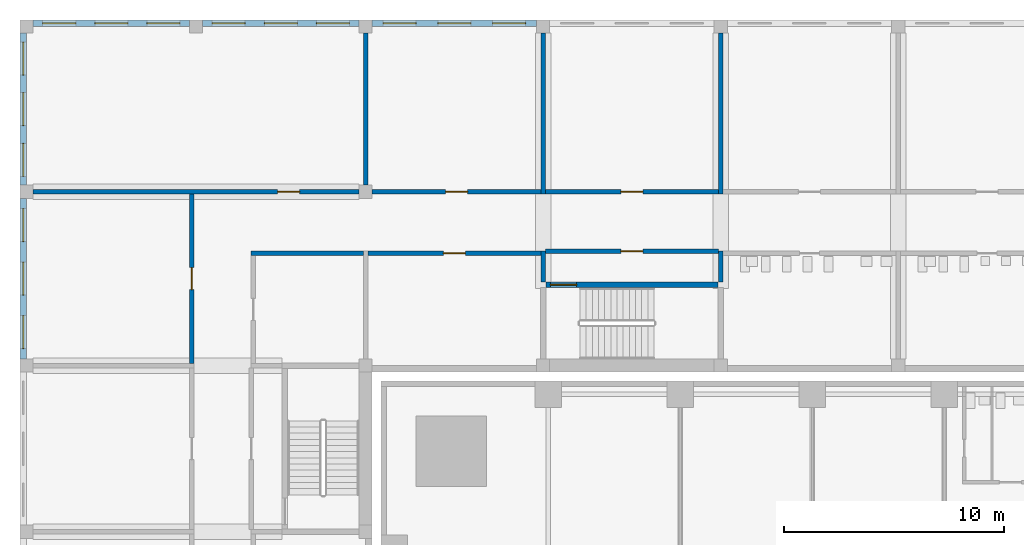
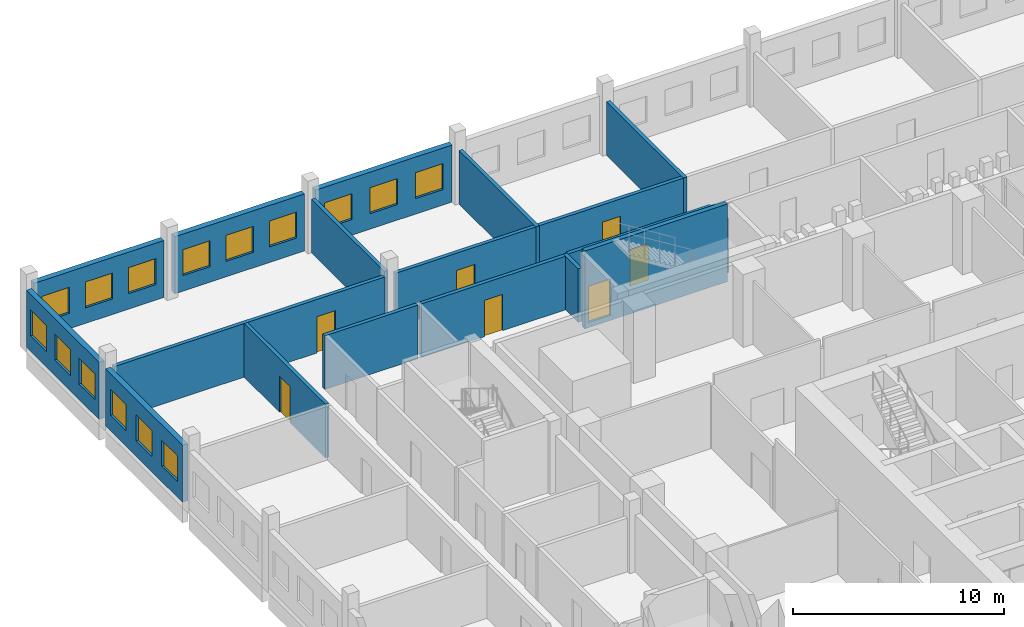
# One storey, part 16 of 25: 18 walls, 15 windows, 7 doors, 22 openings.
"""IFC4 building model written with IfcOpenShell, lengths in metres."""

from ifc_helpers import new_model, si_unit, direction, frame, frame_2d, origin, place, context, subcontext, project, spatial, rectangle, extrude, material, layer, layer_set, type_object, element, fill, save


model = new_model("IFC4")

# Units and contexts
model_context = context("Model", 3, precision=1e-05, world=origin(), true_north=direction((0.0, 1.0)))
body_context = subcontext(model_context, "Body", "Model", "MODEL_VIEW")
ifc_project = project(units=[si_unit("LENGTHUNIT", "METRE"), si_unit("AREAUNIT", "SQUARE_METRE"), si_unit("VOLUMEUNIT", "CUBIC_METRE"), si_unit("PLANEANGLEUNIT", "RADIAN"), si_unit("MASSUNIT", "GRAM", prefix="KILO")], contexts=[model_context])

# Site, building, storey
site_placement = place(None, origin())
site = spatial("IfcSite", under=ifc_project, at=site_placement, CompositionType="ELEMENT")
building_placement = place(site_placement, origin())
building = spatial("IfcBuilding", under=site, at=building_placement, Name="Amberfall Residences", CompositionType="ELEMENT")
storey_placement = place(building_placement, frame((0.0, 0.0, 14.5)))
storey = spatial("IfcBuildingStorey", under=building, at=storey_placement, Name="L03", CompositionType="ELEMENT", Elevation=14.5)

# Wall, openings, windows
ifc_material_1 = material(Name="Aerated block wall")
ifc_layer_1 = layer(ifc_material_1, 0.300048828125)
ifc_layer_set_1 = layer_set([ifc_layer_1], Name="School external wall 300")
wall_type_1 = type_object("IfcWallType", Name="School external wall 300", PredefinedType="SOLIDWALL", material=ifc_layer_set_1)
wall_1_placement = place(storey_placement, frame((35.75, 69.0, 0.0), z_axis=(0.0, 0.0, 1.0), x_axis=(0.0, 1.0, 0.0)))
wall_1 = element("IfcWall", 1, at=wall_1_placement, inside=storey, type_object=wall_type_1, Name="School external wall L03 EW8", PredefinedType="SOLIDWALL", context=body_context, shape_type="SweptSolid", body=[
    extrude(rectangle(XDim=7.300048828125, YDim=0.300048828125, at=frame_2d((3.64990234375, 0.0))), origin(), (0.0, 0.0, 1.0), 3.300048828125),
])
opening_1_placement = place(wall_1_placement, frame((0.466796875, 0.0, 0.89990234375)))
opening_1 = element("IfcOpeningElement", 2, at=opening_1_placement, cuts=wall_1, Name="Opening SWN1", PredefinedType="OPENING", context=body_context, shape_type="SweptSolid", body=[
    extrude(rectangle(XDim=1.5, YDim=1.5, at=frame_2d((0.75, 0.75))), frame((0.0, 0.159912109375, 0.0), z_axis=(0.0, -1.0, 0.0), x_axis=(1.0, 0.0, 0.0)), (0.0, 0.0, 1.0), 0.320068359375),
])
opening_2_placement = place(wall_1_placement, frame((2.89990234375, 0.0, 0.89990234375)))
opening_2 = element("IfcOpeningElement", 3, at=opening_2_placement, cuts=wall_1, Name="Opening SWN1", PredefinedType="OPENING", context=body_context, shape_type="SweptSolid", body=[
    extrude(rectangle(XDim=1.5, YDim=1.5, at=frame_2d((0.75, 0.75))), frame((0.0, 0.159912109375, 0.0), z_axis=(0.0, -1.0, 0.0), x_axis=(1.0, 0.0, 0.0)), (0.0, 0.0, 1.0), 0.320068359375),
])
opening_3_placement = place(wall_1_placement, frame((5.333251953125, 0.0, 0.89990234375)))
opening_3 = element("IfcOpeningElement", 4, at=opening_3_placement, cuts=wall_1, Name="Opening SWN1", PredefinedType="OPENING", context=body_context, shape_type="SweptSolid", body=[
    extrude(rectangle(XDim=1.5, YDim=1.5, at=frame_2d((0.75, 0.75))), frame((0.0, 0.159912109375, 0.0), z_axis=(0.0, -1.0, 0.0), x_axis=(1.0, 0.0, 0.0)), (0.0, 0.0, 1.0), 0.320068359375),
])
ifc_material_2 = material(Name="Aluminium window", Category="aluminium")
window_type = type_object("IfcWindowType", Name="School window 1500 x 1500", PartitioningType="DOUBLE_PANEL_HORIZONTAL", PredefinedType="WINDOW", material=ifc_material_2)
window_1_placement = place(opening_1_placement, origin())
window_1 = element("IfcWindow", 5, at=window_1_placement, inside=storey, type_object=window_type, Name="School window L03 EW8-1", OverallHeight=1.5, OverallWidth=1.5, PartitioningType="DOUBLE_PANEL_HORIZONTAL", PredefinedType="WINDOW", context=body_context, shape_type="SweptSolid", body=[
    extrude(rectangle(XDim=1.5, YDim=1.5, at=frame_2d((0.75, 0.75))), frame((0.0, 0.030029296875, 0.0), z_axis=(0.0, -1.0, 0.0), x_axis=(1.0, 0.0, 0.0)), (0.0, 0.0, 1.0), 0.06005859375),
])
fill(opening_1, window_1)
window_2_placement = place(opening_2_placement, origin())
window_2 = element("IfcWindow", 6, at=window_2_placement, inside=storey, type_object=window_type, Name="School window L03 EW8-2", OverallHeight=1.5, OverallWidth=1.5, PartitioningType="DOUBLE_PANEL_HORIZONTAL", PredefinedType="WINDOW", context=body_context, shape_type="SweptSolid", body=[
    extrude(rectangle(XDim=1.5, YDim=1.5, at=frame_2d((0.75, 0.75))), frame((0.0, 0.030029296875, 0.0), z_axis=(0.0, -1.0, 0.0), x_axis=(1.0, 0.0, 0.0)), (0.0, 0.0, 1.0), 0.06005859375),
])
fill(opening_2, window_2)
window_3_placement = place(opening_3_placement, origin())
window_3 = element("IfcWindow", 7, at=window_3_placement, inside=storey, type_object=window_type, Name="School window L03 EW8-3", OverallHeight=1.5, OverallWidth=1.5, PartitioningType="DOUBLE_PANEL_HORIZONTAL", PredefinedType="WINDOW", context=body_context, shape_type="SweptSolid", body=[
    extrude(rectangle(XDim=1.5, YDim=1.5, at=frame_2d((0.75, 0.75))), frame((0.0, 0.030029296875, 0.0), z_axis=(0.0, -1.0, 0.0), x_axis=(1.0, 0.0, 0.0)), (0.0, 0.0, 1.0), 0.06005859375),
])
fill(opening_3, window_3)

wall_2_placement = place(storey_placement, frame((35.75, 76.89990234375, 0.0), z_axis=(0.0, 0.0, 1.0), x_axis=(0.0, 1.0, 0.0)))
wall_2 = element("IfcWall", 8, at=wall_2_placement, inside=storey, type_object=wall_type_1, Name="School external wall L03 EW9", PredefinedType="SOLIDWALL", context=body_context, shape_type="SweptSolid", body=[
    extrude(rectangle(XDim=6.900146484375, YDim=0.300048828125, at=frame_2d((3.4501953125, 0.0))), origin(), (0.0, 0.0, 1.0), 3.300048828125),
])
opening_4_placement = place(wall_2_placement, frame((0.39990234375, 0.0, 0.89990234375)))
opening_4 = element("IfcOpeningElement", 9, at=opening_4_placement, cuts=wall_2, Name="Opening SWN1", PredefinedType="OPENING", context=body_context, shape_type="SweptSolid", body=[
    extrude(rectangle(XDim=1.5, YDim=1.5, at=frame_2d((0.75, 0.75))), frame((0.0, 0.159912109375, 0.0), z_axis=(0.0, -1.0, 0.0), x_axis=(1.0, 0.0, 0.0)), (0.0, 0.0, 1.0), 0.320068359375),
])
opening_5_placement = place(wall_2_placement, frame((2.699951171875, 0.0, 0.89990234375)))
opening_5 = element("IfcOpeningElement", 10, at=opening_5_placement, cuts=wall_2, Name="Opening SWN1", PredefinedType="OPENING", context=body_context, shape_type="SweptSolid", body=[
    extrude(rectangle(XDim=1.5, YDim=1.5, at=frame_2d((0.75, 0.75))), frame((0.0, 0.159912109375, 0.0), z_axis=(0.0, -1.0, 0.0), x_axis=(1.0, 0.0, 0.0)), (0.0, 0.0, 1.0), 0.320068359375),
])
opening_6_placement = place(wall_2_placement, frame((5.0, 0.0, 0.89990234375)))
opening_6 = element("IfcOpeningElement", 11, at=opening_6_placement, cuts=wall_2, Name="Opening SWN1", PredefinedType="OPENING", context=body_context, shape_type="SweptSolid", body=[
    extrude(rectangle(XDim=1.5, YDim=1.5, at=frame_2d((0.75, 0.75))), frame((0.0, 0.159912109375, 0.0), z_axis=(0.0, -1.0, 0.0), x_axis=(1.0, 0.0, 0.0)), (0.0, 0.0, 1.0), 0.320068359375),
])
window_4_placement = place(opening_4_placement, origin())
window_4 = element("IfcWindow", 12, at=window_4_placement, inside=storey, type_object=window_type, Name="School window L03 EW9-1", OverallHeight=1.5, OverallWidth=1.5, PartitioningType="DOUBLE_PANEL_HORIZONTAL", PredefinedType="WINDOW", context=body_context, shape_type="SweptSolid", body=[
    extrude(rectangle(XDim=1.5, YDim=1.5, at=frame_2d((0.75, 0.75))), frame((0.0, 0.030029296875, 0.0), z_axis=(0.0, -1.0, 0.0), x_axis=(1.0, 0.0, 0.0)), (0.0, 0.0, 1.0), 0.06005859375),
])
fill(opening_4, window_4)
window_5_placement = place(opening_5_placement, origin())
window_5 = element("IfcWindow", 13, at=window_5_placement, inside=storey, type_object=window_type, Name="School window L03 EW9-2", OverallHeight=1.5, OverallWidth=1.5, PartitioningType="DOUBLE_PANEL_HORIZONTAL", PredefinedType="WINDOW", context=body_context, shape_type="SweptSolid", body=[
    extrude(rectangle(XDim=1.5, YDim=1.5, at=frame_2d((0.75, 0.75))), frame((0.0, 0.030029296875, 0.0), z_axis=(0.0, -1.0, 0.0), x_axis=(1.0, 0.0, 0.0)), (0.0, 0.0, 1.0), 0.06005859375),
])
fill(opening_5, window_5)
window_6_placement = place(opening_6_placement, origin())
window_6 = element("IfcWindow", 14, at=window_6_placement, inside=storey, type_object=window_type, Name="School window L03 EW9-3", OverallHeight=1.5, OverallWidth=1.5, PartitioningType="DOUBLE_PANEL_HORIZONTAL", PredefinedType="WINDOW", context=body_context, shape_type="SweptSolid", body=[
    extrude(rectangle(XDim=1.5, YDim=1.5, at=frame_2d((0.75, 0.75))), frame((0.0, 0.030029296875, 0.0), z_axis=(0.0, -1.0, 0.0), x_axis=(1.0, 0.0, 0.0)), (0.0, 0.0, 1.0), 0.06005859375),
])
fill(opening_6, window_6)

wall_3_placement = place(storey_placement, frame((36.199951171875, 84.25, 0.0), z_axis=(0.0, 0.0, 1.0), x_axis=(1.0, 0.0, 0.0)))
wall_3 = element("IfcWall", 15, at=wall_3_placement, inside=storey, type_object=wall_type_1, Name="School external wall L03 EN0", PredefinedType="SOLIDWALL", context=body_context, shape_type="SweptSolid", body=[
    extrude(rectangle(XDim=7.10009765625, YDim=0.300048828125, at=frame_2d((3.550048828125, 0.0))), origin(), (0.0, 0.0, 1.0), 3.300048828125),
])
opening_7_placement = place(wall_3_placement, frame((0.433349609375, 0.0, 0.89990234375)))
opening_7 = element("IfcOpeningElement", 16, at=opening_7_placement, cuts=wall_3, Name="Opening SWN1", PredefinedType="OPENING", context=body_context, shape_type="SweptSolid", body=[
    extrude(rectangle(XDim=1.5, YDim=1.5, at=frame_2d((0.75, 0.75))), frame((0.0, 0.159912109375, 0.0), z_axis=(0.0, -1.0, 0.0), x_axis=(1.0, 0.0, 0.0)), (0.0, 0.0, 1.0), 0.320068359375),
])
opening_8_placement = place(wall_3_placement, frame((2.800048828125, 0.0, 0.89990234375)))
opening_8 = element("IfcOpeningElement", 17, at=opening_8_placement, cuts=wall_3, Name="Opening SWN1", PredefinedType="OPENING", context=body_context, shape_type="SweptSolid", body=[
    extrude(rectangle(XDim=1.5, YDim=1.5, at=frame_2d((0.75, 0.75))), frame((0.0, 0.159912109375, 0.0), z_axis=(0.0, -1.0, 0.0), x_axis=(1.0, 0.0, 0.0)), (0.0, 0.0, 1.0), 0.320068359375),
])
opening_9_placement = place(wall_3_placement, frame((5.166748046875, 0.0, 0.89990234375)))
opening_9 = element("IfcOpeningElement", 18, at=opening_9_placement, cuts=wall_3, Name="Opening SWN1", PredefinedType="OPENING", context=body_context, shape_type="SweptSolid", body=[
    extrude(rectangle(XDim=1.5, YDim=1.5, at=frame_2d((0.75, 0.75))), frame((0.0, 0.159912109375, 0.0), z_axis=(0.0, -1.0, 0.0), x_axis=(1.0, 0.0, 0.0)), (0.0, 0.0, 1.0), 0.320068359375),
])
window_7_placement = place(opening_7_placement, origin())
window_7 = element("IfcWindow", 19, at=window_7_placement, inside=storey, type_object=window_type, Name="School window L03 EN0-1", OverallHeight=1.5, OverallWidth=1.5, PartitioningType="DOUBLE_PANEL_HORIZONTAL", PredefinedType="WINDOW", context=body_context, shape_type="SweptSolid", body=[
    extrude(rectangle(XDim=1.5, YDim=1.5, at=frame_2d((0.75, 0.75))), frame((0.0, 0.030029296875, 0.0), z_axis=(0.0, -1.0, 0.0), x_axis=(1.0, 0.0, 0.0)), (0.0, 0.0, 1.0), 0.06005859375),
])
fill(opening_7, window_7)
window_8_placement = place(opening_8_placement, origin())
window_8 = element("IfcWindow", 20, at=window_8_placement, inside=storey, type_object=window_type, Name="School window L03 EN0-2", OverallHeight=1.5, OverallWidth=1.5, PartitioningType="DOUBLE_PANEL_HORIZONTAL", PredefinedType="WINDOW", context=body_context, shape_type="SweptSolid", body=[
    extrude(rectangle(XDim=1.5, YDim=1.5, at=frame_2d((0.75, 0.75))), frame((0.0, 0.030029296875, 0.0), z_axis=(0.0, -1.0, 0.0), x_axis=(1.0, 0.0, 0.0)), (0.0, 0.0, 1.0), 0.06005859375),
])
fill(opening_8, window_8)
window_9_placement = place(opening_9_placement, origin())
window_9 = element("IfcWindow", 21, at=window_9_placement, inside=storey, type_object=window_type, Name="School window L03 EN0-3", OverallHeight=1.5, OverallWidth=1.5, PartitioningType="DOUBLE_PANEL_HORIZONTAL", PredefinedType="WINDOW", context=body_context, shape_type="SweptSolid", body=[
    extrude(rectangle(XDim=1.5, YDim=1.5, at=frame_2d((0.75, 0.75))), frame((0.0, 0.030029296875, 0.0), z_axis=(0.0, -1.0, 0.0), x_axis=(1.0, 0.0, 0.0)), (0.0, 0.0, 1.0), 0.06005859375),
])
fill(opening_9, window_9)

wall_4_placement = place(storey_placement, frame((43.89990234375, 84.25, 0.0), z_axis=(0.0, 0.0, 1.0), x_axis=(1.0, 0.0, 0.0)))
wall_4 = element("IfcWall", 22, at=wall_4_placement, inside=storey, type_object=wall_type_1, Name="School external wall L03 EN1", PredefinedType="SOLIDWALL", context=body_context, shape_type="SweptSolid", body=[
    extrude(rectangle(XDim=7.10009765625, YDim=0.300048828125, at=frame_2d((3.550048828125, 0.0))), origin(), (0.0, 0.0, 1.0), 3.300048828125),
])
opening_10_placement = place(wall_4_placement, frame((0.433349609375, 0.0, 0.89990234375)))
opening_10 = element("IfcOpeningElement", 23, at=opening_10_placement, cuts=wall_4, Name="Opening SWN1", PredefinedType="OPENING", context=body_context, shape_type="SweptSolid", body=[
    extrude(rectangle(XDim=1.5, YDim=1.5, at=frame_2d((0.75, 0.75))), frame((0.0, 0.159912109375, 0.0), z_axis=(0.0, -1.0, 0.0), x_axis=(1.0, 0.0, 0.0)), (0.0, 0.0, 1.0), 0.320068359375),
])
opening_11_placement = place(wall_4_placement, frame((2.800048828125, 0.0, 0.89990234375)))
opening_11 = element("IfcOpeningElement", 24, at=opening_11_placement, cuts=wall_4, Name="Opening SWN1", PredefinedType="OPENING", context=body_context, shape_type="SweptSolid", body=[
    extrude(rectangle(XDim=1.5, YDim=1.5, at=frame_2d((0.75, 0.75))), frame((0.0, 0.159912109375, 0.0), z_axis=(0.0, -1.0, 0.0), x_axis=(1.0, 0.0, 0.0)), (0.0, 0.0, 1.0), 0.320068359375),
])
opening_12_placement = place(wall_4_placement, frame((5.166748046875, 0.0, 0.89990234375)))
opening_12 = element("IfcOpeningElement", 25, at=opening_12_placement, cuts=wall_4, Name="Opening SWN1", PredefinedType="OPENING", context=body_context, shape_type="SweptSolid", body=[
    extrude(rectangle(XDim=1.5, YDim=1.5, at=frame_2d((0.75, 0.75))), frame((0.0, 0.159912109375, 0.0), z_axis=(0.0, -1.0, 0.0), x_axis=(1.0, 0.0, 0.0)), (0.0, 0.0, 1.0), 0.320068359375),
])
window_10_placement = place(opening_10_placement, origin())
window_10 = element("IfcWindow", 26, at=window_10_placement, inside=storey, type_object=window_type, Name="School window L03 EN1-1", OverallHeight=1.5, OverallWidth=1.5, PartitioningType="DOUBLE_PANEL_HORIZONTAL", PredefinedType="WINDOW", context=body_context, shape_type="SweptSolid", body=[
    extrude(rectangle(XDim=1.5, YDim=1.5, at=frame_2d((0.75, 0.75))), frame((0.0, 0.030029296875, 0.0), z_axis=(0.0, -1.0, 0.0), x_axis=(1.0, 0.0, 0.0)), (0.0, 0.0, 1.0), 0.06005859375),
])
fill(opening_10, window_10)
window_11_placement = place(opening_11_placement, origin())
window_11 = element("IfcWindow", 27, at=window_11_placement, inside=storey, type_object=window_type, Name="School window L03 EN1-2", OverallHeight=1.5, OverallWidth=1.5, PartitioningType="DOUBLE_PANEL_HORIZONTAL", PredefinedType="WINDOW", context=body_context, shape_type="SweptSolid", body=[
    extrude(rectangle(XDim=1.5, YDim=1.5, at=frame_2d((0.75, 0.75))), frame((0.0, 0.030029296875, 0.0), z_axis=(0.0, -1.0, 0.0), x_axis=(1.0, 0.0, 0.0)), (0.0, 0.0, 1.0), 0.06005859375),
])
fill(opening_11, window_11)
window_12_placement = place(opening_12_placement, origin())
window_12 = element("IfcWindow", 28, at=window_12_placement, inside=storey, type_object=window_type, Name="School window L03 EN1-3", OverallHeight=1.5, OverallWidth=1.5, PartitioningType="DOUBLE_PANEL_HORIZONTAL", PredefinedType="WINDOW", context=body_context, shape_type="SweptSolid", body=[
    extrude(rectangle(XDim=1.5, YDim=1.5, at=frame_2d((0.75, 0.75))), frame((0.0, 0.030029296875, 0.0), z_axis=(0.0, -1.0, 0.0), x_axis=(1.0, 0.0, 0.0)), (0.0, 0.0, 1.0), 0.06005859375),
])
fill(opening_12, window_12)

wall_5_placement = place(storey_placement, frame((51.60009765625, 84.25, 0.0), z_axis=(0.0, 0.0, 1.0), x_axis=(1.0, 0.0, 0.0)))
wall_5 = element("IfcWall", 29, at=wall_5_placement, inside=storey, type_object=wall_type_1, Name="School external wall L03 EN2", PredefinedType="SOLIDWALL", context=body_context, shape_type="SweptSolid", body=[
    extrude(rectangle(XDim=7.466796875, YDim=0.300048828125, at=frame_2d((3.7333984375, 0.0))), origin(), (0.0, 0.0, 1.0), 3.300048828125),
])
opening_13_placement = place(wall_5_placement, frame((0.494384765625, 0.0, 0.89990234375)))
opening_13 = element("IfcOpeningElement", 30, at=opening_13_placement, cuts=wall_5, Name="Opening SWN1", PredefinedType="OPENING", context=body_context, shape_type="SweptSolid", body=[
    extrude(rectangle(XDim=1.5, YDim=1.5, at=frame_2d((0.75, 0.75))), frame((0.0, 0.159912109375, 0.0), z_axis=(0.0, -1.0, 0.0), x_axis=(1.0, 0.0, 0.0)), (0.0, 0.0, 1.0), 0.320068359375),
])
opening_14_placement = place(wall_5_placement, frame((2.9833984375, 0.0, 0.89990234375)))
opening_14 = element("IfcOpeningElement", 31, at=opening_14_placement, cuts=wall_5, Name="Opening SWN1", PredefinedType="OPENING", context=body_context, shape_type="SweptSolid", body=[
    extrude(rectangle(XDim=1.5, YDim=1.5, at=frame_2d((0.75, 0.75))), frame((0.0, 0.159912109375, 0.0), z_axis=(0.0, -1.0, 0.0), x_axis=(1.0, 0.0, 0.0)), (0.0, 0.0, 1.0), 0.320068359375),
])
opening_15_placement = place(wall_5_placement, frame((5.472412109375, 0.0, 0.89990234375)))
opening_15 = element("IfcOpeningElement", 32, at=opening_15_placement, cuts=wall_5, Name="Opening SWN1", PredefinedType="OPENING", context=body_context, shape_type="SweptSolid", body=[
    extrude(rectangle(XDim=1.5, YDim=1.5, at=frame_2d((0.75, 0.75))), frame((0.0, 0.159912109375, 0.0), z_axis=(0.0, -1.0, 0.0), x_axis=(1.0, 0.0, 0.0)), (0.0, 0.0, 1.0), 0.320068359375),
])
window_13_placement = place(opening_13_placement, origin())
window_13 = element("IfcWindow", 33, at=window_13_placement, inside=storey, type_object=window_type, Name="School window L03 EN2-1", OverallHeight=1.5, OverallWidth=1.5, PartitioningType="DOUBLE_PANEL_HORIZONTAL", PredefinedType="WINDOW", context=body_context, shape_type="SweptSolid", body=[
    extrude(rectangle(XDim=1.5, YDim=1.5, at=frame_2d((0.75, 0.75))), frame((0.0, 0.030029296875, 0.0), z_axis=(0.0, -1.0, 0.0), x_axis=(1.0, 0.0, 0.0)), (0.0, 0.0, 1.0), 0.06005859375),
])
fill(opening_13, window_13)
window_14_placement = place(opening_14_placement, origin())
window_14 = element("IfcWindow", 34, at=window_14_placement, inside=storey, type_object=window_type, Name="School window L03 EN2-2", OverallHeight=1.5, OverallWidth=1.5, PartitioningType="DOUBLE_PANEL_HORIZONTAL", PredefinedType="WINDOW", context=body_context, shape_type="SweptSolid", body=[
    extrude(rectangle(XDim=1.5, YDim=1.5, at=frame_2d((0.75, 0.75))), frame((0.0, 0.030029296875, 0.0), z_axis=(0.0, -1.0, 0.0), x_axis=(1.0, 0.0, 0.0)), (0.0, 0.0, 1.0), 0.06005859375),
])
fill(opening_14, window_14)
window_15_placement = place(opening_15_placement, origin())
window_15 = element("IfcWindow", 35, at=window_15_placement, inside=storey, type_object=window_type, Name="School window L03 EN2-3", OverallHeight=1.5, OverallWidth=1.5, PartitioningType="DOUBLE_PANEL_HORIZONTAL", PredefinedType="WINDOW", context=body_context, shape_type="SweptSolid", body=[
    extrude(rectangle(XDim=1.5, YDim=1.5, at=frame_2d((0.75, 0.75))), frame((0.0, 0.030029296875, 0.0), z_axis=(0.0, -1.0, 0.0), x_axis=(1.0, 0.0, 0.0)), (0.0, 0.0, 1.0), 0.06005859375),
])
fill(opening_15, window_15)

# Wall, opening, door
ifc_layer_2 = layer(ifc_material_1, 0.199951171875)
ifc_layer_set_2 = layer_set([ifc_layer_2], Name="School partition 200")
wall_type_2 = type_object("IfcWallType", Name="School partition 200", PredefinedType="PARTITIONING", material=ifc_layer_set_2)
wall_6_placement = place(storey_placement, frame((43.39990234375, 68.800048828125, 0.0), z_axis=(0.0, 0.0, 1.0), x_axis=(0.0, 1.0, 0.0)))
wall_6 = element("IfcWall", 36, at=wall_6_placement, inside=storey, type_object=wall_type_2, Name="School partition L03 CWW8", PredefinedType="PARTITIONING", context=body_context, shape_type="SweptSolid", body=[
    extrude(rectangle(XDim=7.699951171875, YDim=0.199951171875, at=frame_2d((3.85009765625, 0.0))), origin(), (0.0, 0.0, 1.0), 3.10009765625),
])
opening_16_placement = place(wall_6_placement, frame((3.35009765625, 0.0, 0.0)))
opening_16 = element("IfcOpeningElement", 37, at=opening_16_placement, cuts=wall_6, Name="Opening SD5", PredefinedType="OPENING", context=body_context, shape_type="SweptSolid", body=[
    extrude(rectangle(XDim=1.0, YDim=2.10009765625, at=frame_2d((0.5, 1.050048828125))), frame((0.0, 0.10986328125, 0.0), z_axis=(0.0, -1.0, 0.0), x_axis=(1.0, 0.0, 0.0)), (0.0, 0.0, 1.0), 0.219970703125),
])
ifc_material_3 = material(Name="Timber door", Category="wood")
door_type_1 = type_object("IfcDoorType", Name="School classroom door 1000 x 2100", OperationType="SINGLE_SWING_LEFT", PredefinedType="DOOR", material=ifc_material_3)
door_1_placement = place(opening_16_placement, origin())
door_1 = element("IfcDoor", 38, at=door_1_placement, inside=storey, type_object=door_type_1, Name="School door L03 CWW8-1", OperationType="SINGLE_SWING_LEFT", OverallHeight=2.10009765625, OverallWidth=1.0, PredefinedType="DOOR", context=body_context, shape_type="SweptSolid", body=[
    extrude(rectangle(XDim=1.0, YDim=2.10009765625, at=frame_2d((0.5, 1.050048828125))), frame((0.0, 0.02490234375, 0.0), z_axis=(0.0, -1.0, 0.0), x_axis=(1.0, 0.0, 0.0)), (0.0, 0.0, 1.0), 0.050048828125),
])
fill(opening_16, door_1)

wall_7_placement = place(storey_placement, frame((36.199951171875, 76.60009765625, 0.0), z_axis=(0.0, 0.0, 1.0), x_axis=(1.0, 0.0, 0.0)))
wall_7 = element("IfcWall", 39, at=wall_7_placement, inside=storey, type_object=wall_type_2, Name="School partition L03 LIBS", PredefinedType="PARTITIONING", context=body_context, shape_type="SweptSolid", body=[
    extrude(rectangle(XDim=14.800048828125, YDim=0.199951171875, at=frame_2d((7.39990234375, 0.0))), origin(), (0.0, 0.0, 1.0), 3.10009765625),
])
opening_17_placement = place(wall_7_placement, frame((11.10009765625, 0.0, 0.0)))
opening_17 = element("IfcOpeningElement", 40, at=opening_17_placement, cuts=wall_7, Name="Opening SD5", PredefinedType="OPENING", context=body_context, shape_type="SweptSolid", body=[
    extrude(rectangle(XDim=1.0, YDim=2.10009765625, at=frame_2d((0.5, 1.050048828125))), frame((0.0, 0.10986328125, 0.0), z_axis=(0.0, -1.0, 0.0), x_axis=(1.0, 0.0, 0.0)), (0.0, 0.0, 1.0), 0.219970703125),
])
door_2_placement = place(opening_17_placement, origin())
door_2 = element("IfcDoor", 41, at=door_2_placement, inside=storey, type_object=door_type_1, Name="School door L03 LIBS-1", OperationType="SINGLE_SWING_LEFT", OverallHeight=2.10009765625, OverallWidth=1.0, PredefinedType="DOOR", context=body_context, shape_type="SweptSolid", body=[
    extrude(rectangle(XDim=1.0, YDim=2.10009765625, at=frame_2d((0.5, 1.050048828125))), frame((0.0, 0.02490234375, 0.0), z_axis=(0.0, -1.0, 0.0), x_axis=(1.0, 0.0, 0.0)), (0.0, 0.0, 1.0), 0.050048828125),
])
fill(opening_17, door_2)

# Wall
wall_8_placement = place(storey_placement, frame((51.300048828125, 76.89990234375, 0.0), z_axis=(0.0, 0.0, 1.0), x_axis=(0.0, 1.0, 0.0)))
element("IfcWall", 42, at=wall_8_placement, inside=storey, type_object=wall_type_2, Name="School partition L03 LIBE", PredefinedType="PARTITIONING", context=body_context, shape_type="SweptSolid", body=[
    extrude(rectangle(XDim=6.900146484375, YDim=0.199951171875, at=frame_2d((3.4501953125, 0.0))), origin(), (0.0, 0.0, 1.0), 3.10009765625),
])

# Wall, opening, door
wall_9_placement = place(storey_placement, frame((51.60009765625, 76.60009765625, 0.0), z_axis=(0.0, 0.0, 1.0), x_axis=(1.0, 0.0, 0.0)))
wall_9 = element("IfcWall", 43, at=wall_9_placement, inside=storey, type_object=wall_type_2, Name="School partition L03 CWN052", PredefinedType="PARTITIONING", context=body_context, shape_type="SweptSolid", body=[
    extrude(rectangle(XDim=7.6669921875, YDim=0.199951171875, at=frame_2d((3.83349609375, 0.0))), origin(), (0.0, 0.0, 1.0), 3.10009765625),
])
opening_18_placement = place(wall_9_placement, frame((3.33349609375, 0.0, 0.0)))
opening_18 = element("IfcOpeningElement", 44, at=opening_18_placement, cuts=wall_9, Name="Opening SD5", PredefinedType="OPENING", context=body_context, shape_type="SweptSolid", body=[
    extrude(rectangle(XDim=1.0, YDim=2.10009765625, at=frame_2d((0.5, 1.050048828125))), frame((0.0, 0.10986328125, 0.0), z_axis=(0.0, -1.0, 0.0), x_axis=(1.0, 0.0, 0.0)), (0.0, 0.0, 1.0), 0.219970703125),
])
door_3_placement = place(opening_18_placement, origin())
door_3 = element("IfcDoor", 45, at=door_3_placement, inside=storey, type_object=door_type_1, Name="School door L03 CWN052-1", OperationType="SINGLE_SWING_LEFT", OverallHeight=2.10009765625, OverallWidth=1.0, PredefinedType="DOOR", context=body_context, shape_type="SweptSolid", body=[
    extrude(rectangle(XDim=1.0, YDim=2.10009765625, at=frame_2d((0.5, 1.050048828125))), frame((0.0, 0.02490234375, 0.0), z_axis=(0.0, -1.0, 0.0), x_axis=(1.0, 0.0, 0.0)), (0.0, 0.0, 1.0), 0.050048828125),
])
fill(opening_18, door_3)

wall_10_placement = place(storey_placement, frame((59.467041015625, 76.60009765625, 0.0), z_axis=(0.0, 0.0, 1.0), x_axis=(1.0, 0.0, 0.0)))
wall_10 = element("IfcWall", 46, at=wall_10_placement, inside=storey, type_object=wall_type_2, Name="School partition L03 CWN159", PredefinedType="PARTITIONING", context=body_context, shape_type="SweptSolid", body=[
    extrude(rectangle(XDim=7.865966796875, YDim=0.199951171875, at=frame_2d((3.93310546875, 0.0))), origin(), (0.0, 0.0, 1.0), 3.10009765625),
])
opening_19_placement = place(wall_10_placement, frame((3.43310546875, 0.0, 0.0)))
opening_19 = element("IfcOpeningElement", 47, at=opening_19_placement, cuts=wall_10, Name="Opening SD5", PredefinedType="OPENING", context=body_context, shape_type="SweptSolid", body=[
    extrude(rectangle(XDim=1.0, YDim=2.10009765625, at=frame_2d((0.5, 1.050048828125))), frame((0.0, 0.10986328125, 0.0), z_axis=(0.0, -1.0, 0.0), x_axis=(1.0, 0.0, 0.0)), (0.0, 0.0, 1.0), 0.219970703125),
])
door_4_placement = place(opening_19_placement, origin())
door_4 = element("IfcDoor", 48, at=door_4_placement, inside=storey, type_object=door_type_1, Name="School door L03 CWN159-1", OperationType="SINGLE_SWING_LEFT", OverallHeight=2.10009765625, OverallWidth=1.0, PredefinedType="DOOR", context=body_context, shape_type="SweptSolid", body=[
    extrude(rectangle(XDim=1.0, YDim=2.10009765625, at=frame_2d((0.5, 1.050048828125))), frame((0.0, 0.02490234375, 0.0), z_axis=(0.0, -1.0, 0.0), x_axis=(1.0, 0.0, 0.0)), (0.0, 0.0, 1.0), 0.050048828125),
])
fill(opening_19, door_4)

# Walls
for number, where, z_axis, x_axis, name in (
    (49, (59.366943359375, 76.5, 0.0), (0.0, 0.0, 1.0), (0.0, 1.0, 0.0), "School partition L03 PN5937"),
    (50, (67.43310546875, 76.5, 0.0), (0.0, 0.0, 1.0), (0.0, 1.0, 0.0), "School partition L03 PN6743"),
):
    element("IfcWall", number, at=place(storey_placement, frame(where, z_axis=z_axis, x_axis=x_axis)), inside=storey, type_object=wall_type_2, Name=name, PredefinedType="PARTITIONING", context=body_context, shape_type="SweptSolid", body=[
        extrude(rectangle(XDim=7.300048828125, YDim=0.199951171875, at=frame_2d((3.64990234375, 0.0))), origin(), (0.0, 0.0, 1.0), 3.10009765625),
    ])

# Wall, opening, door
wall_11_placement = place(storey_placement, frame((51.39990234375, 73.800048828125, 0.0), z_axis=(0.0, 0.0, 1.0), x_axis=(1.0, 0.0, 0.0)))
wall_11 = element("IfcWall", 51, at=wall_11_placement, inside=storey, type_object=wall_type_2, Name="School partition L03 CWS51", PredefinedType="PARTITIONING", context=body_context, shape_type="SweptSolid", body=[
    extrude(rectangle(XDim=7.8671875, YDim=0.199951171875, at=frame_2d((3.93359375, 0.0))), origin(), (0.0, 0.0, 1.0), 3.10009765625),
])
opening_20_placement = place(wall_11_placement, frame((3.43359375, 0.0, 0.0)))
opening_20 = element("IfcOpeningElement", 52, at=opening_20_placement, cuts=wall_11, Name="Opening SD5", PredefinedType="OPENING", context=body_context, shape_type="SweptSolid", body=[
    extrude(rectangle(XDim=1.0, YDim=2.10009765625, at=frame_2d((0.5, 1.050048828125))), frame((0.0, 0.10986328125, 0.0), z_axis=(0.0, -1.0, 0.0), x_axis=(1.0, 0.0, 0.0)), (0.0, 0.0, 1.0), 0.219970703125),
])
door_5_placement = place(opening_20_placement, origin())
door_5 = element("IfcDoor", 53, at=door_5_placement, inside=storey, type_object=door_type_1, Name="School door L03 CWS51-1", OperationType="SINGLE_SWING_LEFT", OverallHeight=2.10009765625, OverallWidth=1.0, PredefinedType="DOOR", context=body_context, shape_type="SweptSolid", body=[
    extrude(rectangle(XDim=1.0, YDim=2.10009765625, at=frame_2d((0.5, 1.050048828125))), frame((0.0, 0.02490234375, 0.0), z_axis=(0.0, -1.0, 0.0), x_axis=(1.0, 0.0, 0.0)), (0.0, 0.0, 1.0), 0.050048828125),
])
fill(opening_20, door_5)

# Walls
for number, where, z_axis, x_axis, name in (
    (54, (59.366943359375, 72.5, 0.0), (0.0, 0.0, 1.0), (0.0, 1.0, 0.0), "School partition L03 PSA1"),
    (55, (67.43310546875, 72.5, 0.0), (0.0, 0.0, 1.0), (0.0, 1.0, 0.0), "School partition L03 PSA2"),
):
    element("IfcWall", number, at=place(storey_placement, frame(where, z_axis=z_axis, x_axis=x_axis)), inside=storey, type_object=wall_type_2, Name=name, PredefinedType="PARTITIONING", context=body_context, shape_type="SweptSolid", body=[
        extrude(rectangle(XDim=1.39990234375, YDim=0.199951171875, at=frame_2d((0.699951171875, 0.0))), origin(), (0.0, 0.0, 1.0), 3.10009765625),
    ])
wall_12_placement = place(storey_placement, frame((46.10009765625, 73.800048828125, 0.0), z_axis=(0.0, 0.0, 1.0), x_axis=(1.0, 0.0, 0.0)))
element("IfcWall", 56, at=wall_12_placement, inside=storey, type_object=wall_type_2, Name="School partition L03 E8N", PredefinedType="PARTITIONING", context=body_context, shape_type="SweptSolid", body=[
    extrude(rectangle(XDim=5.099853515625, YDim=0.199951171875, at=frame_2d((2.5498046875, 0.0))), origin(), (0.0, 0.0, 1.0), 3.10009765625),
])

# Wall, opening, door
wall_13_placement = place(storey_placement, frame((59.467041015625, 73.89990234375, 0.0), z_axis=(0.0, 0.0, 1.0), x_axis=(1.0, 0.0, 0.0)))
wall_13 = element("IfcWall", 57, at=wall_13_placement, inside=storey, type_object=wall_type_2, Name="School partition L03 CWLSS4", PredefinedType="PARTITIONING", context=body_context, shape_type="SweptSolid", body=[
    extrude(rectangle(XDim=7.865966796875, YDim=0.199951171875, at=frame_2d((3.93310546875, 0.0))), origin(), (0.0, 0.0, 1.0), 3.10009765625),
])
opening_21_placement = place(wall_13_placement, frame((3.43310546875, 0.0, 0.0)))
opening_21 = element("IfcOpeningElement", 58, at=opening_21_placement, cuts=wall_13, Name="Opening SD8", PredefinedType="OPENING", context=body_context, shape_type="SweptSolid", body=[
    extrude(rectangle(XDim=1.0, YDim=2.10009765625, at=frame_2d((0.5, 1.050048828125))), frame((0.0, 0.10986328125, 0.0), z_axis=(0.0, -1.0, 0.0), x_axis=(1.0, 0.0, 0.0)), (0.0, 0.0, 1.0), 0.219970703125),
])
door_type_2 = type_object("IfcDoorType", Name="School lobby door 1000 x 2100", OperationType="SINGLE_SWING_LEFT", PredefinedType="DOOR", material=ifc_material_3)
door_6_placement = place(opening_21_placement, origin())
door_6 = element("IfcDoor", 59, at=door_6_placement, inside=storey, type_object=door_type_2, Name="School door L03 CWLSS4-1", OperationType="SINGLE_SWING_LEFT", OverallHeight=2.10009765625, OverallWidth=1.0, PredefinedType="DOOR", context=body_context, shape_type="SweptSolid", body=[
    extrude(rectangle(XDim=1.0, YDim=2.10009765625, at=frame_2d((0.5, 1.050048828125))), frame((0.0, 0.02490234375, 0.0), z_axis=(0.0, -1.0, 0.0), x_axis=(1.0, 0.0, 0.0)), (0.0, 0.0, 1.0), 0.050048828125),
])
fill(opening_21, door_6)

ifc_material_4 = material(Name="Concrete C50", Category="concrete")
ifc_layer_3 = layer(ifc_material_4, 0.25)
ifc_layer_set_3 = layer_set([ifc_layer_3], Name="School stair core wall 250 C50")
wall_type_3 = type_object("IfcWallType", Name="School stair core wall 250 C50", PredefinedType="SHEAR", material=ifc_layer_set_3)
wall_14_placement = place(storey_placement, frame((59.491943359375, 72.375, -0.300048828125), z_axis=(0.0, 0.0, 1.0), x_axis=(1.0, 0.0, 0.0)))
wall_14 = element("IfcWall", 60, at=wall_14_placement, inside=storey, type_object=wall_type_3, Name="School core wall L03 SS4N", PredefinedType="SHEAR", context=body_context, shape_type="SweptSolid", body=[
    extrude(rectangle(XDim=7.816162109375, YDim=0.25, at=frame_2d((3.908203125, 0.0))), origin(), (0.0, 0.0, 1.0), 4.5),
])
opening_22_placement = place(wall_14_placement, frame((0.199951171875, 0.0, 0.300048828125)))
opening_22 = element("IfcOpeningElement", 61, at=opening_22_placement, cuts=wall_14, Name="Opening SD4", PredefinedType="OPENING", context=body_context, shape_type="SweptSolid", body=[
    extrude(rectangle(XDim=1.199951171875, YDim=2.10009765625, at=frame_2d((0.60009765625, 1.050048828125))), frame((0.0, 0.135009765625, 0.0), z_axis=(0.0, -1.0, 0.0), x_axis=(1.0, 0.0, 0.0)), (0.0, 0.0, 1.0), 0.27001953125),
])
ifc_material_5 = material(Name="Steel fire door", Category="steel")
door_type_3 = type_object("IfcDoorType", Name="School stair door 1200 x 2100 FD120", OperationType="SINGLE_SWING_LEFT", PredefinedType="DOOR", material=ifc_material_5)
door_7_placement = place(opening_22_placement, origin())
door_7 = element("IfcDoor", 62, at=door_7_placement, inside=storey, type_object=door_type_3, Name="School stair door L03 SS4", OperationType="SINGLE_SWING_LEFT", OverallHeight=2.10009765625, OverallWidth=1.199951171875, PredefinedType="DOOR", context=body_context, shape_type="SweptSolid", body=[
    extrude(rectangle(XDim=1.199951171875, YDim=2.10009765625, at=frame_2d((0.60009765625, 1.050048828125))), frame((0.0, 0.02490234375, 0.0), z_axis=(0.0, -1.0, 0.0), x_axis=(1.0, 0.0, 0.0)), (0.0, 0.0, 1.0), 0.050048828125),
])
fill(opening_22, door_7)

save(model, "model.ifc")
